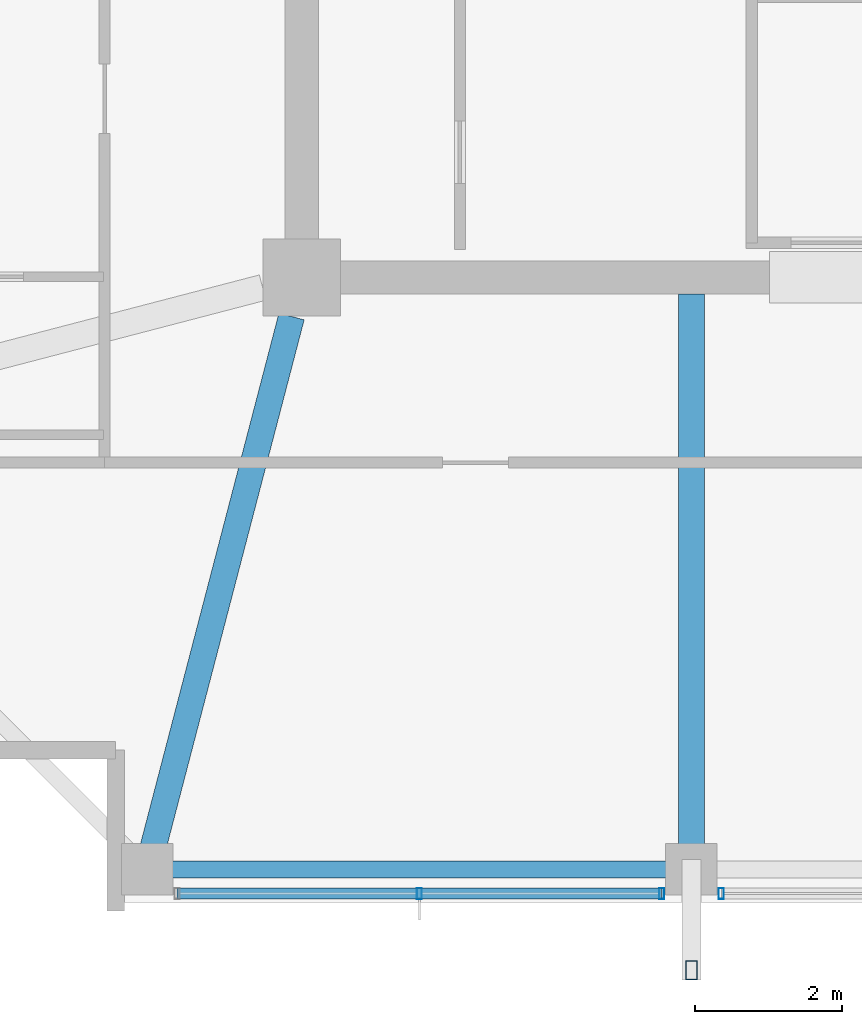
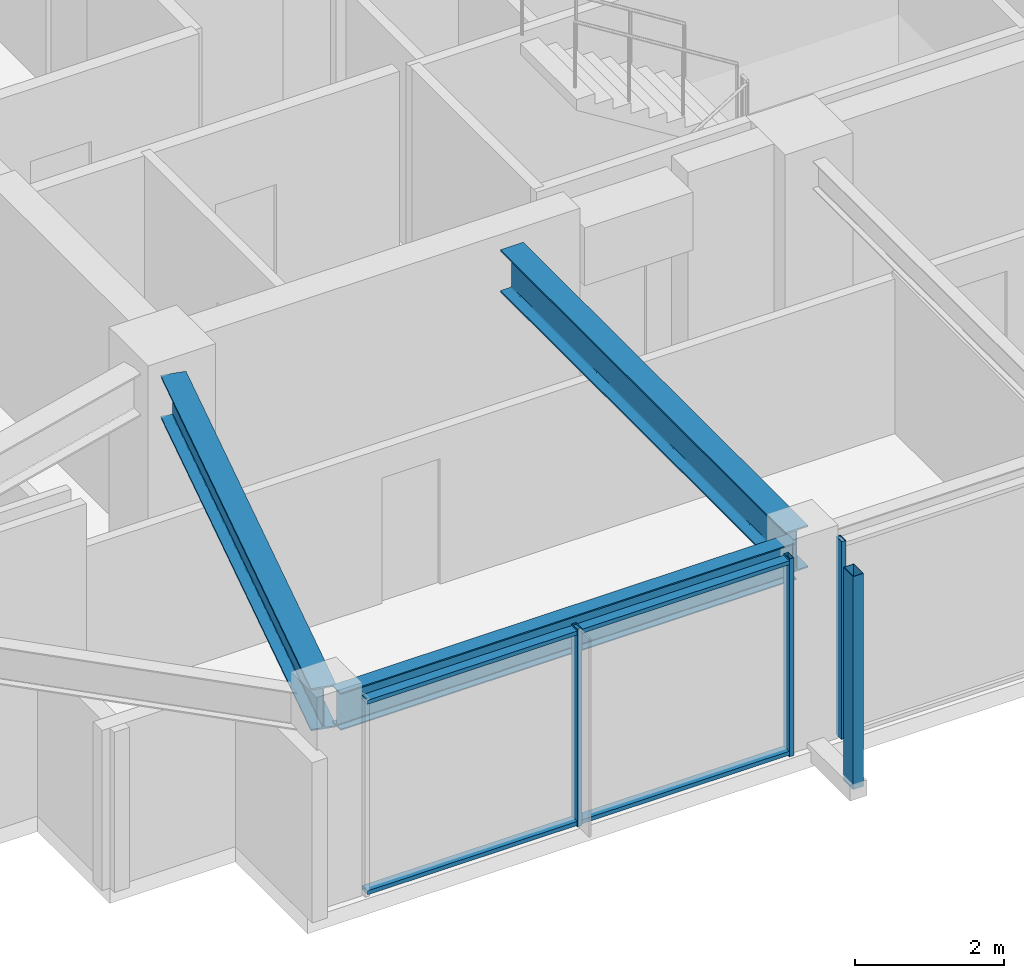
# One storey, part 3 of 29: 6 members, 3 beams, 2 elements without a shape of their own.
"""IFC4 building model written with IfcOpenShell, lengths in metres."""

from ifc_helpers import new_model, si_unit, direction, frame, origin, origin_2d, place, context, subcontext, project, spatial, hollow_rectangle, i_section, extrude, material, material_profile, profile_set, type_object, element, aggregate, save


model = new_model("IFC4")

# Units and contexts
model_context = context("Model", 3, precision=1e-05, world=origin(), true_north=direction((0.0, 1.0)))
body_context = subcontext(model_context, "Body", "Model", "MODEL_VIEW")
ifc_project = project(units=[si_unit("LENGTHUNIT", "METRE"), si_unit("AREAUNIT", "SQUARE_METRE"), si_unit("VOLUMEUNIT", "CUBIC_METRE"), si_unit("PLANEANGLEUNIT", "RADIAN"), si_unit("MASSUNIT", "GRAM", prefix="KILO")], contexts=[model_context])

# Site, building, storey
site_placement = place(None, origin())
site = spatial("IfcSite", under=ifc_project, at=site_placement, CompositionType="ELEMENT")
building_placement = place(site_placement, origin())
building = spatial("IfcBuilding", under=site, at=building_placement, Name="Kolvaren Belvedere", CompositionType="ELEMENT")
storey_placement = place(building_placement, frame((0.0, 0.0, 244.39990234375)))
storey = spatial("IfcBuildingStorey", under=building, at=storey_placement, Name="L71", CompositionType="ELEMENT", Elevation=244.39990234375)

# Beams
ifc_material_1 = material(Name="Structural steel ASTM A992 Grade 50", Category="steel")
ifc_material_profile_1 = material_profile(ifc_material_1, i_section(OverallWidth=0.35498046875, OverallDepth=0.696044921875, WebThickness=0.015380859375, FlangeThickness=0.02490234375, FilletRadius=0.02197265625, at=origin_2d()), Name="W27X146")
ifc_profile_set_1 = profile_set([ifc_material_profile_1], Name="Structural steel ASTM A992 Grade 50")
beam_type_1 = type_object("IfcBeamType", Name="BM-GIRD-W27X146", PredefinedType="BEAM", material=ifc_profile_set_1)
beam_1_placement = place(storey_placement, frame((-4.60009765625, -10.125, 2.902099609375), z_axis=(0.0, -1.0, 0.0), x_axis=(1.0, 0.0, 0.0)))
element("IfcBeam", 1, at=beam_1_placement, inside=storey, type_object=beam_type_1, Name="L71 South Radial Girder M", PredefinedType="BEAM", context=body_context, shape_type="SweptSolid", body=[
    extrude(i_section(OverallWidth=0.35498046875, OverallDepth=0.696044921875, WebThickness=0.015380859375, FlangeThickness=0.02490234375, FilletRadius=0.02197265625, at=origin_2d()), origin(), (0.0, 0.0, 1.0), 7.66748046875),
])
beam_2_placement = place(storey_placement, frame((-10.038818359375, -10.43212890625, 2.902099609375), z_axis=(-0.25241668651, -0.967618631679, 0.0), x_axis=(0.967618631679, -0.25241668651, 0.0)))
element("IfcBeam", 2, at=beam_2_placement, inside=storey, type_object=beam_type_1, Name="L71 Corner Core-to-Perimeter Girder CC1-S1", PredefinedType="BEAM", context=body_context, shape_type="SweptSolid", body=[
    extrude(i_section(OverallWidth=0.35498046875, OverallDepth=0.696044921875, WebThickness=0.015380859375, FlangeThickness=0.02490234375, FilletRadius=0.02197265625, at=origin_2d()), origin(), (0.0, 0.0, 1.0), 7.62939453125),
])
ifc_material_2 = material(Name="Structural steel ASTM A992 Grade 50", Category="steel")
ifc_material_profile_2 = material_profile(ifc_material_2, i_section(OverallWidth=0.22900390625, OverallDepth=0.612060546875, WebThickness=0.011962890625, FlangeThickness=0.01953125, FilletRadius=0.01806640625, at=origin_2d()), Name="W24X84")
ifc_profile_set_2 = profile_set([ifc_material_profile_2], Name="Structural steel ASTM A992 Grade 50")
beam_type_2 = type_object("IfcBeamType", Name="BM-SPAN-W24X84", PredefinedType="SPANDREL", material=ifc_profile_set_2)
beam_3_placement = place(storey_placement, frame((-11.842529296875, -17.949951171875, 2.944091796875), z_axis=(1.0, 0.0, 0.0), x_axis=(0.0, 1.0, 0.0)))
element("IfcBeam", 3, at=beam_3_placement, inside=storey, type_object=beam_type_2, Name="L71 Perimeter Spandrel S1-S2", PredefinedType="SPANDREL", context=body_context, shape_type="SweptSolid", body=[
    extrude(i_section(OverallWidth=0.22900390625, OverallDepth=0.612060546875, WebThickness=0.011962890625, FlangeThickness=0.01953125, FilletRadius=0.01806640625, at=origin_2d()), origin(), (0.0, 0.0, 1.0), 7.0849609375),
])

# Curtain wall, member
ifc_material_3 = material(Name="Anodised pale-metal aluminium AA 6063-T6", Category="aluminium")
curtain_wall_type = type_object("IfcCurtainWallType", Name="CW-Z5-HIGH", PredefinedType="NOTDEFINED", material=ifc_material_3)
curtain_wall_1_placement = place(storey_placement, origin())
curtain_wall_1 = element("IfcCurtainWall", 4, at=curtain_wall_1_placement, inside=storey, type_object=curtain_wall_type, Name="L71 Unitised Curtain Wall FCW-L71-S-B2", PredefinedType="NOTDEFINED")
ifc_material_4 = material(Name="Anodised pale-metal aluminium AA 6063-T6", Category="aluminium")
ifc_material_profile_3 = material_profile(ifc_material_4, hollow_rectangle(XDim=0.070068359375, YDim=0.14990234375, WallThickness=0.004150390625, at=origin_2d()), Name="ALU-MUL-150X70")
ifc_profile_set_3 = profile_set([ifc_material_profile_3], Name="Anodised pale-metal aluminium AA 6063-T6")
member_type_1 = type_object("IfcMemberType", Name="CW-MUL-150", PredefinedType="MULLION", material=ifc_profile_set_3)
member_1_placement = place(storey_placement, frame((-4.195068359375, -18.280029296875, 0.0), z_axis=(0.0, 0.0, 1.0), x_axis=(1.0, 0.0, 0.0)))
member_1 = element("IfcMember", 5, at=member_1_placement, type_object=member_type_1, Name="FCW-L71-S-B2 Unitised Mullion 3", PredefinedType="MULLION", context=body_context, shape_type="SweptSolid", body=[
    extrude(hollow_rectangle(XDim=0.070068359375, YDim=0.14990234375, WallThickness=0.004150390625, at=origin_2d()), origin(), (0.0, 0.0, 1.0), 3.25),
])
aggregate(curtain_wall_1, [member_1])

# Curtain wall, members
curtain_wall_2_placement = place(storey_placement, origin())
curtain_wall_2 = element("IfcCurtainWall", 6, at=curtain_wall_2_placement, inside=storey, type_object=curtain_wall_type, Name="L71 Unitised Curtain Wall FCW-L71-S-B3", PredefinedType="NOTDEFINED")
member_2_placement = place(storey_placement, frame((-5.0048828125, -18.280029296875, 0.0), z_axis=(0.0, 0.0, 1.0), x_axis=(1.0, 0.0, 0.0)))
member_2 = element("IfcMember", 7, at=member_2_placement, type_object=member_type_1, Name="FCW-L71-S-B3 Unitised Mullion 1", PredefinedType="MULLION", context=body_context, shape_type="SweptSolid", body=[
    extrude(hollow_rectangle(XDim=0.070068359375, YDim=0.14990234375, WallThickness=0.004150390625, at=origin_2d()), origin(), (0.0, 0.0, 1.0), 3.25),
])
member_3_placement = place(storey_placement, frame((-8.300048828125, -18.280029296875, 0.0), z_axis=(0.0, 0.0, 1.0), x_axis=(1.0, 0.0, 0.0)))
member_3 = element("IfcMember", 8, at=member_3_placement, type_object=member_type_1, Name="FCW-L71-S-B3 Unitised Mullion 2", PredefinedType="MULLION", context=body_context, shape_type="SweptSolid", body=[
    extrude(hollow_rectangle(XDim=0.070068359375, YDim=0.14990234375, WallThickness=0.004150390625, at=origin_2d()), origin(), (0.0, 0.0, 1.0), 3.25),
])
ifc_material_5 = material(Name="Anodised pale-metal aluminium AA 6063-T6", Category="aluminium")
ifc_material_profile_4 = material_profile(ifc_material_5, hollow_rectangle(XDim=0.06494140625, YDim=0.14990234375, WallThickness=0.00390625, at=origin_2d()), Name="ALU-TRN-150X65")
ifc_profile_set_4 = profile_set([ifc_material_profile_4], Name="Anodised pale-metal aluminium AA 6063-T6")
member_type_2 = type_object("IfcMemberType", Name="CW-TRN-150", PredefinedType="USERDEFINED", material=ifc_profile_set_4)
member_4_placement = place(storey_placement, frame((-5.0048828125, -18.280029296875, 0.06005859375), z_axis=(-1.0, 0.0, 0.0), x_axis=(0.0, 0.0, 1.0)))
member_4 = element("IfcMember", 9, at=member_4_placement, type_object=member_type_2, Name="FCW-L71-S-B3 Sill Transom", ObjectType="TRANSOM", PredefinedType="USERDEFINED", context=body_context, shape_type="SweptSolid", body=[
    extrude(hollow_rectangle(XDim=0.06494140625, YDim=0.14990234375, WallThickness=0.00390625, at=origin_2d()), origin(), (0.0, 0.0, 1.0), 6.590087890625),
])
member_5_placement = place(storey_placement, frame((-5.0048828125, -18.280029296875, 3.190185546875), z_axis=(-1.0, 0.0, 0.0), x_axis=(0.0, 0.0, 1.0)))
member_5 = element("IfcMember", 10, at=member_5_placement, type_object=member_type_2, Name="FCW-L71-S-B3 Head Transom", ObjectType="TRANSOM", PredefinedType="USERDEFINED", context=body_context, shape_type="SweptSolid", body=[
    extrude(hollow_rectangle(XDim=0.06494140625, YDim=0.14990234375, WallThickness=0.00390625, at=origin_2d()), origin(), (0.0, 0.0, 1.0), 6.590087890625),
])
aggregate(curtain_wall_2, [member_2, member_3, member_4, member_5])

# Member
ifc_material_6 = material(Name="Anodised pale-metal aluminium AA 6063-T6", Category="aluminium")
ifc_material_profile_5 = material_profile(ifc_material_6, hollow_rectangle(XDim=0.159912109375, YDim=0.260009765625, WallThickness=0.006591796875, at=origin_2d()), Name="ALU-PF-260X160")
ifc_profile_set_5 = profile_set([ifc_material_profile_5], Name="Anodised pale-metal aluminium AA 6063-T6")
member_type_3 = type_object("IfcMemberType", Name="PF-FRAME-260", PredefinedType="USERDEFINED", material=ifc_profile_set_5)
member_6_placement = place(storey_placement, frame((-4.60009765625, -19.320068359375, 0.0), z_axis=(0.0, 0.0, 1.0), x_axis=(1.0, 0.0, 0.0)))
element("IfcMember", 11, at=member_6_placement, inside=storey, type_object=member_type_3, Name="L71 Outboard Picture-Frame Vertical S2", ObjectType="PICTURE FRAME FIN", PredefinedType="USERDEFINED", context=body_context, shape_type="SweptSolid", body=[
    extrude(hollow_rectangle(XDim=0.159912109375, YDim=0.260009765625, WallThickness=0.006591796875, at=origin_2d()), origin(), (0.0, 0.0, 1.0), 3.5),
])

save(model, "model.ifc")
